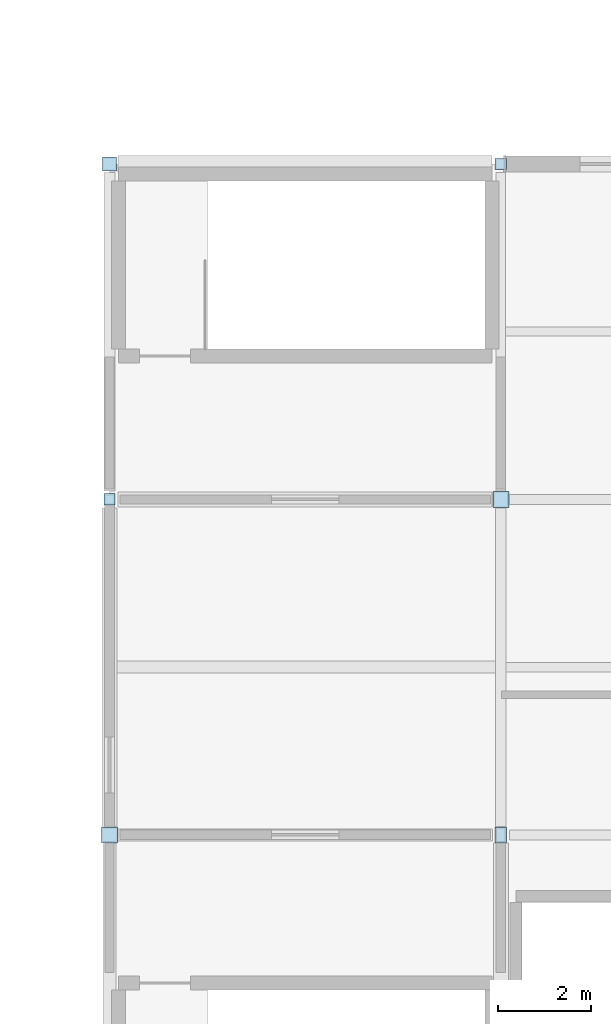
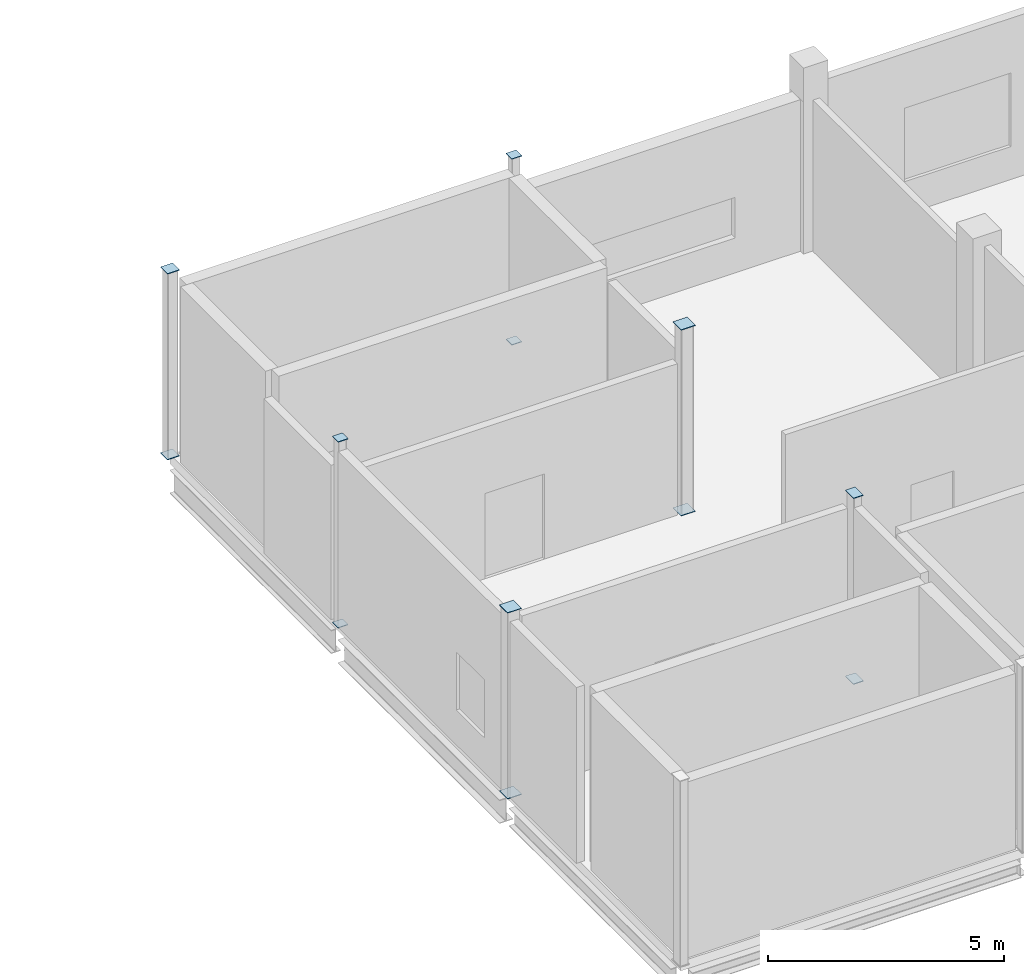
# One storey, part 47 of 72: 12 plates.
"""IFC4 building model written with IfcOpenShell, lengths in metres."""

import ifcopenshell
import ifcopenshell.guid

model = None  # the IFC model being written
_history = None  # IfcOwnerHistory: only IFC2X3 demands one
_inside = {}  # id of a spatial element -> (the spatial element, [elements in it])
_under = {}  # id of a project, library or spatial element -> (it, [spatial elements below it])
_declared = {}  # id of a project -> (the project, [libraries it declares])
_typed = {}  # id of a type object -> (the type object, [elements of that type])
_made_of = {}  # id of a material, layer set ... -> (it, [elements and type objects made of it])


def new_model(schema):
    """Start an empty IFC model of exactly this schema.

    Asked for "IFC4X3", IfcOpenShell would pick the latest addendum, in which some entities
    have other attributes; the version numbers below select the first issue.
    IFC2X3 requires an IfcOwnerHistory on every rooted entity: one is made here for all.
    """
    global model, _history
    if schema == "IFC4X3":
        model = ifcopenshell.file(schema_version=(4, 3, 0, 0))
    else:
        model = ifcopenshell.file(schema=schema)
    _inside.clear()
    _under.clear()
    _declared.clear()
    _typed.clear()
    _made_of.clear()
    _history = None
    if model.schema == "IFC2X3":
        org = make("IfcOrganization", Name="unknown")
        user = make(
            "IfcPersonAndOrganization",
            ThePerson=make("IfcPerson", FamilyName="unknown"),
            TheOrganization=org,
        )
        app = make(
            "IfcApplication",
            ApplicationDeveloper=org,
            Version="unknown",
            ApplicationFullName="unknown",
            ApplicationIdentifier="unknown",
        )
        _history = make(
            "IfcOwnerHistory",
            OwningUser=user,
            OwningApplication=app,
            ChangeAction="ADDED",
            CreationDate=0,
        )
    return model


def make(cls, **values):
    """One entity of the class cls with the attributes given. An attribute that is None is left unset."""
    return model.create_entity(
        cls, **{name: value for name, value in values.items() if value is not None}
    )


def rooted(cls, **values):
    """An entity with a GlobalId (a new one), such as an element, a storey or a relation."""
    return make(cls, GlobalId=ifcopenshell.guid.new(), OwnerHistory=_history, **values)


def si_unit(unit_type, name, prefix=None):
    """IfcSIUnit, for example si_unit("LENGTHUNIT", "METRE", prefix="MILLI")."""
    return make("IfcSIUnit", UnitType=unit_type, Prefix=prefix, Name=name)


def assignment(units):
    """IfcUnitAssignment: the units of a project."""
    return None if units is None else make("IfcUnitAssignment", Units=units)


def point(xyz):
    """IfcCartesianPoint."""
    return None if xyz is None else make("IfcCartesianPoint", Coordinates=xyz)


def direction(xyz):
    """IfcDirection."""
    return None if xyz is None else make("IfcDirection", DirectionRatios=xyz)


def frame(location, z_axis=None, x_axis=None):
    """IfcAxis2Placement3D, a coordinate frame: its origin and axes. An axis left out is left unset."""
    return make(
        "IfcAxis2Placement3D",
        Location=point(location),
        Axis=direction(z_axis),
        RefDirection=direction(x_axis),
    )


def frame_2d(location, x_axis=None):
    """IfcAxis2Placement2D, a coordinate frame in the plane: its origin and x axis."""
    return make(
        "IfcAxis2Placement2D", Location=point(location), RefDirection=direction(x_axis)
    )


def origin():
    """The frame at (0, 0, 0) with its axes left unset."""
    return frame((0.0, 0.0, 0.0))


def origin_2d():
    """The frame at (0, 0) in the plane with its x axis left unset."""
    return frame_2d((0.0, 0.0))


def place(relative_to, where):
    """IfcLocalPlacement: puts the frame where relative to a parent placement (None: the world)."""
    return make(
        "IfcLocalPlacement", PlacementRelTo=relative_to, RelativePlacement=where
    )


def context(
    kind, dimensions, precision=None, world=None, true_north=None, identifier=None
):
    """IfcGeometricRepresentationContext, for example the 3D "Model" context."""
    return make(
        "IfcGeometricRepresentationContext",
        ContextIdentifier=identifier,
        ContextType=kind,
        CoordinateSpaceDimension=dimensions,
        Precision=precision,
        WorldCoordinateSystem=world,
        TrueNorth=true_north,
    )


def subcontext(parent, identifier, kind, view, scale=None):
    """IfcGeometricRepresentationSubContext, for example "Body" below "Model"."""
    return make(
        "IfcGeometricRepresentationSubContext",
        ContextIdentifier=identifier,
        ContextType=kind,
        ParentContext=parent,
        TargetScale=scale,
        TargetView=view,
    )


def project(units=None, contexts=None):
    """IfcProject with its units and contexts."""
    return rooted(
        "IfcProject",
        Name="project",
        RepresentationContexts=contexts,
        UnitsInContext=assignment(units),
    )


def spatial(cls, under=None, at=None, **own):
    """A site, building, storey or space (cls), placed at a placement, below another one or the project."""
    s = rooted(cls, ObjectPlacement=at, **own)
    if under is not None:
        _under.setdefault(under.id(), (under, []))[1].append(s)
    return s


def profile(cls, at=None, kind="AREA", **sizes):
    """A parametric profile (cls). Its sizes go by their IFC names, for example OverallWidth=200.0."""
    return make(cls, ProfileType=kind, Position=at, **sizes)


def rectangle(**sizes):
    """IfcRectangleProfileDef."""
    return profile("IfcRectangleProfileDef", **sizes)


def extrude(swept, where, along, depth):
    """IfcExtrudedAreaSolid: the profile swept, set in the frame where, extruded along a direction by depth."""
    return make(
        "IfcExtrudedAreaSolid",
        SweptArea=swept,
        Position=where,
        ExtrudedDirection=direction(along),
        Depth=depth,
    )


def shape(context_of_items, identifier, shape_type, items):
    """IfcShapeRepresentation: the items that make up one representation, for example the "Body"."""
    return make(
        "IfcShapeRepresentation",
        ContextOfItems=context_of_items,
        RepresentationIdentifier=identifier,
        RepresentationType=shape_type,
        Items=items,
    )


def material(Name=None, Category=None):
    """IfcMaterial."""
    return make("IfcMaterial", Name=Name, Category=Category)


def layer(
    of_material, thickness, ventilated=None, Name=None, Category=None, Priority=None
):
    """IfcMaterialLayer: one layer of a wall or slab, of a material (None: an air gap)."""
    return make(
        "IfcMaterialLayer",
        Material=of_material,
        LayerThickness=thickness,
        IsVentilated=ventilated,
        Name=Name,
        Category=Category,
        Priority=Priority,
    )


def layer_set(layers, Name=None):
    """IfcMaterialLayerSet."""
    return make("IfcMaterialLayerSet", MaterialLayers=layers, LayerSetName=Name)


def made_of(thing, what):
    """Note that an element or type object is made of a material, layer set ...; save() writes the relation."""
    if what is not None:
        _made_of.setdefault(what.id(), (what, []))[1].append(thing)
    return thing


def type_object(cls, material=None, **own):
    """A type object (cls), such as IfcWallType, which elements share."""
    return made_of(rooted(cls, **own), material)


def element(
    cls,
    number,
    at=None,
    inside=None,
    cuts=None,
    type_object=None,
    material=None,
    context=None,
    identifier="Body",
    shape_type=None,
    held_by="IfcProductDefinitionShape",
    body=None,
    shapes=None,
    **own,
):
    """One element of the class cls, such as IfcWall. Its Tag is "e" and its number.

    at: its placement. inside: the storey or other place that contains it. cuts: it is an
    opening in that element (IfcRelVoidsElement). A single representation is given by context,
    identifier, shape_type and body (its items); several are given by shapes. held_by: the class
    of the entity that holds the representations. save() writes the other relations.
    """
    e = rooted(cls, Tag="e%d" % number, ObjectPlacement=at, **own)
    if body is not None:
        shapes = [shape(context, identifier, shape_type, body)]
    if shapes is not None:
        e.Representation = make(held_by, Representations=shapes)
    if inside is not None:
        _inside.setdefault(inside.id(), (inside, []))[1].append(e)
    if cuts is not None:
        rooted(
            "IfcRelVoidsElement", RelatingBuildingElement=cuts, RelatedOpeningElement=e
        )
    if type_object is not None:
        _typed.setdefault(type_object.id(), (type_object, []))[1].append(e)
    return made_of(e, material)


def aggregate(whole, parts):
    """IfcRelAggregates: a whole, such as a stair, and the parts it consists of."""
    return rooted("IfcRelAggregates", RelatingObject=whole, RelatedObjects=parts)


def save(model, path):
    """Write the relations noted so far, then the file.

    IfcRelAggregates (storeys below a building ...), IfcRelContainedInSpatialStructure (elements
    in a storey), IfcRelDefinesByType, IfcRelAssociatesMaterial and IfcRelDeclares: one each for
    every whole, place, type object, material and project.
    """
    for whole, parts in _under.values():
        aggregate(whole, parts)
    for where, things in _inside.values():
        rooted(
            "IfcRelContainedInSpatialStructure",
            RelatedElements=things,
            RelatingStructure=where,
        )
    for kind, things in _typed.values():
        rooted("IfcRelDefinesByType", RelatedObjects=things, RelatingType=kind)
    for what, things in _made_of.values():
        rooted("IfcRelAssociatesMaterial", RelatedObjects=things, RelatingMaterial=what)
    for by, libraries in _declared.values():
        rooted("IfcRelDeclares", RelatingContext=by, RelatedDefinitions=libraries)
    model.write(path)


model = new_model("IFC4")

# Units and contexts
model_context = context("Model", 3, precision=1e-05, world=origin(), true_north=direction((0.0, 1.0)))
body_context = subcontext(model_context, "Body", "Model", "MODEL_VIEW")
ifc_project = project(units=[si_unit("LENGTHUNIT", "METRE"), si_unit("AREAUNIT", "SQUARE_METRE"), si_unit("VOLUMEUNIT", "CUBIC_METRE"), si_unit("PLANEANGLEUNIT", "RADIAN"), si_unit("MASSUNIT", "GRAM", prefix="KILO")], contexts=[model_context])

# Site, building, storey
site_placement = place(None, origin())
site = spatial("IfcSite", under=ifc_project, at=site_placement, CompositionType="ELEMENT")
building_placement = place(site_placement, origin())
building = spatial("IfcBuilding", under=site, at=building_placement, Name="Calvrana Isthmian Art Gallery", CompositionType="ELEMENT")
storey_placement = place(building_placement, frame((0.0, 0.0, 15.0)))
storey = spatial("IfcBuildingStorey", under=building, at=storey_placement, Name="L03", CompositionType="ELEMENT", Elevation=15.0)

# Plates
ifc_material = material(Name="Steel ASTM A572 Gr 50", Category="steel")
ifc_layer = layer(ifc_material, 0.01611328125, Name="Steel ASTM A572 Gr 50")
ifc_layer_set = layer_set([ifc_layer], Name="Steel ASTM A572 Gr 50")
plate_type = type_object("IfcPlateType", Name="PL-CAP-16", PredefinedType="SHEET", material=ifc_layer_set)
for number, where, z_axis, x_axis, name in (
    (1, (104.39990234375, 84.0, -0.008056640625), (0.0, 0.0, 1.0), (1.0, 0.0, 0.0), "Hollow section end cap plate 249"),
    (2, (104.39990234375, 84.0, 4.7919921875), (0.0, 0.0, 1.0), (1.0, 0.0, 0.0), "Hollow section end cap plate 250"),
):
    element("IfcPlate", number, at=place(storey_placement, frame(where, z_axis=z_axis, x_axis=x_axis)), inside=storey, type_object=plate_type, Name=name, PredefinedType="SHEET", context=body_context, shape_type="SweptSolid", body=[
        extrude(rectangle(XDim=0.3447265625, YDim=0.3447265625, at=origin_2d()), origin(), (0.0, 0.0, 1.0), 0.01611328125),
    ])
for number, where, z_axis, x_axis, name in (
    (3, (104.39990234375, 91.199951171875, -0.008056640625), (0.0, 0.0, 1.0), (1.0, 0.0, 0.0), "Hollow section end cap plate 251"),
    (4, (104.39990234375, 91.199951171875, 4.7919921875), (0.0, 0.0, 1.0), (1.0, 0.0, 0.0), "Hollow section end cap plate 252"),
):
    element("IfcPlate", number, at=place(storey_placement, frame(where, z_axis=z_axis, x_axis=x_axis)), inside=storey, type_object=plate_type, Name=name, PredefinedType="SHEET", context=body_context, shape_type="SweptSolid", body=[
        extrude(rectangle(XDim=0.2431640625, YDim=0.2431640625, at=origin_2d()), origin(), (0.0, 0.0, 1.0), 0.01611328125),
    ])
for number, where, z_axis, x_axis, name in (
    (5, (104.39990234375, 98.39990234375, -0.008056640625), (0.0, 0.0, 1.0), (1.0, 0.0, 0.0), "Hollow section end cap plate 253"),
    (6, (104.39990234375, 98.39990234375, 4.7919921875), (0.0, 0.0, 1.0), (1.0, 0.0, 0.0), "Hollow section end cap plate 254"),
):
    element("IfcPlate", number, at=place(storey_placement, frame(where, z_axis=z_axis, x_axis=x_axis)), inside=storey, type_object=plate_type, Name=name, PredefinedType="SHEET", context=body_context, shape_type="SweptSolid", body=[
        extrude(rectangle(XDim=0.2939453125, YDim=0.2939453125, at=origin_2d()), origin(), (0.0, 0.0, 1.0), 0.01611328125),
    ])
for number, where, z_axis, x_axis, name in (
    (7, (112.800048828125, 84.0, -0.008056640625), (0.0, 0.0, 1.0), (1.0, 0.0, 0.0), "Hollow section end cap plate 271"),
    (8, (112.800048828125, 84.0, 4.7919921875), (0.0, 0.0, 1.0), (1.0, 0.0, 0.0), "Hollow section end cap plate 272"),
):
    element("IfcPlate", number, at=place(storey_placement, frame(where, z_axis=z_axis, x_axis=x_axis)), inside=storey, type_object=plate_type, Name=name, PredefinedType="SHEET", context=body_context, shape_type="SweptSolid", body=[
        extrude(rectangle(XDim=0.2431640625, YDim=0.3447265625, at=origin_2d()), origin(), (0.0, 0.0, 1.0), 0.01611328125),
    ])
for number, where, z_axis, x_axis, name in (
    (9, (112.800048828125, 91.199951171875, -0.008056640625), (0.0, 0.0, 1.0), (1.0, 0.0, 0.0), "Hollow section end cap plate 273"),
    (10, (112.800048828125, 91.199951171875, 4.7919921875), (0.0, 0.0, 1.0), (1.0, 0.0, 0.0), "Hollow section end cap plate 274"),
):
    element("IfcPlate", number, at=place(storey_placement, frame(where, z_axis=z_axis, x_axis=x_axis)), inside=storey, type_object=plate_type, Name=name, PredefinedType="SHEET", context=body_context, shape_type="SweptSolid", body=[
        extrude(rectangle(XDim=0.3447265625, YDim=0.3447265625, at=origin_2d()), origin(), (0.0, 0.0, 1.0), 0.01611328125),
    ])
for number, where, z_axis, x_axis, name in (
    (11, (112.800048828125, 98.39990234375, -0.008056640625), (0.0, 0.0, 1.0), (1.0, 0.0, 0.0), "Hollow section end cap plate 275"),
    (12, (112.800048828125, 98.39990234375, 4.7919921875), (0.0, 0.0, 1.0), (1.0, 0.0, 0.0), "Hollow section end cap plate 276"),
):
    element("IfcPlate", number, at=place(storey_placement, frame(where, z_axis=z_axis, x_axis=x_axis)), inside=storey, type_object=plate_type, Name=name, PredefinedType="SHEET", context=body_context, shape_type="SweptSolid", body=[
        extrude(rectangle(XDim=0.2431640625, YDim=0.2431640625, at=origin_2d()), origin(), (0.0, 0.0, 1.0), 0.01611328125),
    ])

save(model, "model.ifc")
